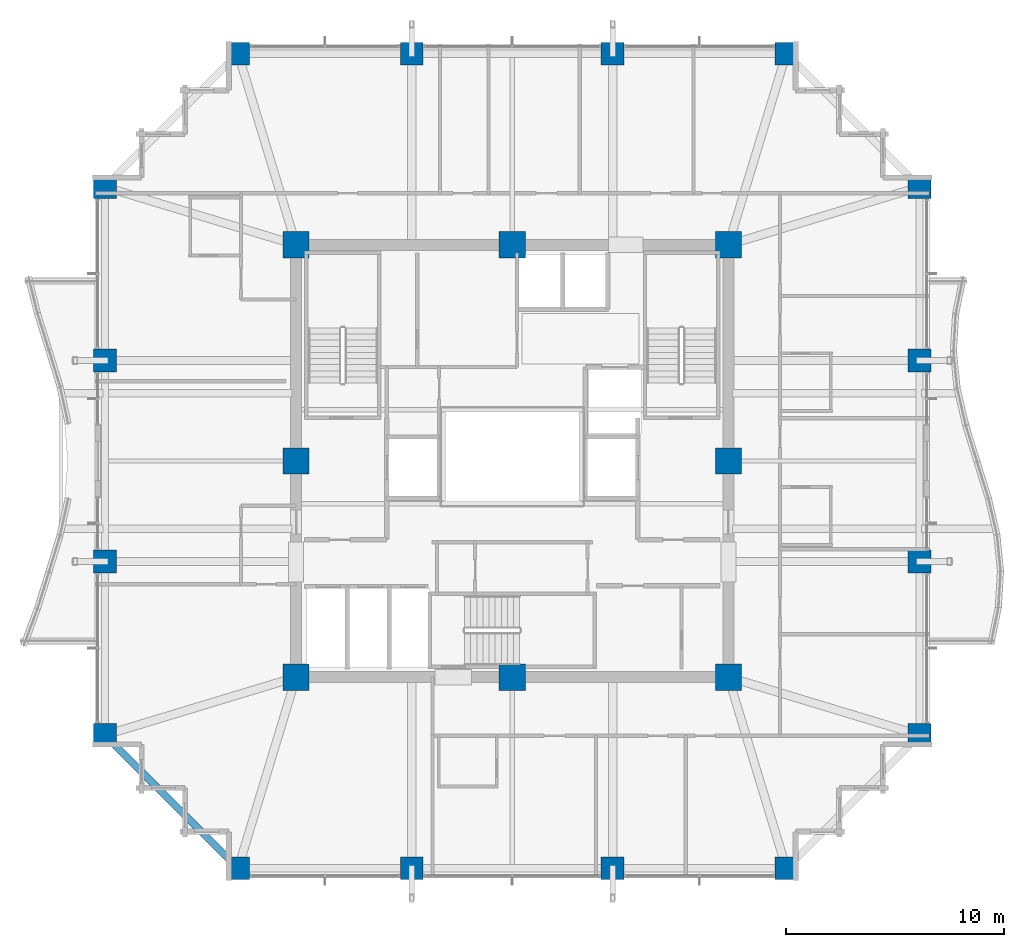
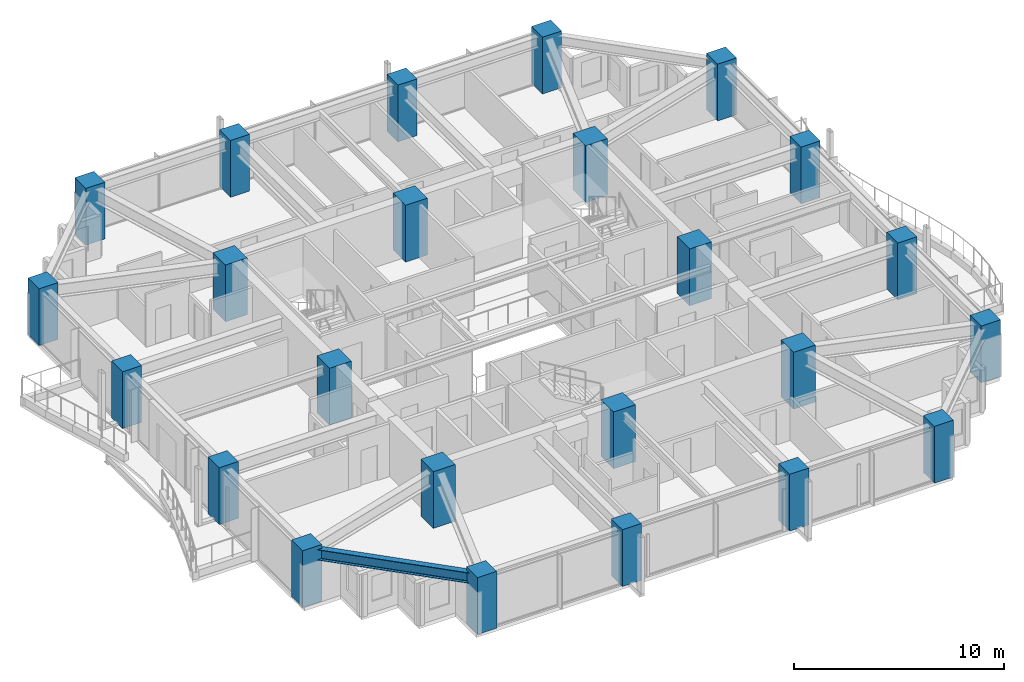
# One storey, part 1 of 35: 24 columns, 1 beam.
"""IFC4 building model written with IfcOpenShell, lengths in metres."""

from ifc_helpers import new_model, si_unit, direction, frame, origin, origin_2d, place, context, subcontext, project, spatial, rectangle, i_section, extrude, material, material_profile, profile_set, type_object, element, save


model = new_model("IFC4")

# Units and contexts
model_context = context("Model", 3, precision=1e-05, world=origin(), true_north=direction((0.0, 1.0)))
body_context = subcontext(model_context, "Body", "Model", "MODEL_VIEW")
ifc_project = project(units=[si_unit("LENGTHUNIT", "METRE"), si_unit("AREAUNIT", "SQUARE_METRE"), si_unit("VOLUMEUNIT", "CUBIC_METRE"), si_unit("PLANEANGLEUNIT", "RADIAN"), si_unit("MASSUNIT", "GRAM", prefix="KILO")], contexts=[model_context])

# Site, building, storey
site_placement = place(None, origin())
site = spatial("IfcSite", under=ifc_project, at=site_placement, CompositionType="ELEMENT")
building_placement = place(site_placement, origin())
building = spatial("IfcBuilding", under=site, at=building_placement, Name="Kolvaren Belvedere", CompositionType="ELEMENT")
storey_placement = place(building_placement, frame((0.0, 0.0, 115.10009765625)))
storey = spatial("IfcBuildingStorey", under=building, at=storey_placement, Name="L33", CompositionType="ELEMENT", Elevation=115.10009765625)

# Columns
ifc_material_1 = material(Name="Concrete C50/60", Category="concrete")
ifc_material_profile_1 = material_profile(ifc_material_1, rectangle(XDim=1.050048828125, YDim=1.050048828125, at=origin_2d()), Name="RC 1050X1050")
ifc_profile_set_1 = profile_set([ifc_material_profile_1], Name="Concrete C50/60")
column_type_1 = type_object("IfcColumnType", Name="COL-RC-1050", PredefinedType="COLUMN", material=ifc_profile_set_1)
for number, where, z_axis, x_axis, name in (
    (1, (-12.550048828125, -18.64990234375, 0.0), (0.0, 0.0, 1.0), (1.0, 0.0, 0.0), "L33 Perimeter Column S1"),
    (2, (-4.60009765625, -18.64990234375, 0.0), (0.0, 0.0, 1.0), (1.0, 0.0, 0.0), "L33 Perimeter Column S2"),
    (3, (4.60009765625, -18.64990234375, 0.0), (0.0, 0.0, 1.0), (1.0, 0.0, 0.0), "L33 Perimeter Column S3"),
    (4, (12.550048828125, -18.64990234375, 0.0), (0.0, 0.0, 1.0), (1.0, 0.0, 0.0), "L33 Perimeter Column S4"),
    (5, (-12.550048828125, 18.64990234375, 0.0), (0.0, 0.0, 1.0), (1.0, 0.0, 0.0), "L33 Perimeter Column N1"),
    (6, (-4.60009765625, 18.64990234375, 0.0), (0.0, 0.0, 1.0), (1.0, 0.0, 0.0), "L33 Perimeter Column N2"),
    (7, (4.60009765625, 18.64990234375, 0.0), (0.0, 0.0, 1.0), (1.0, 0.0, 0.0), "L33 Perimeter Column N3"),
    (8, (12.550048828125, 18.64990234375, 0.0), (0.0, 0.0, 1.0), (1.0, 0.0, 0.0), "L33 Perimeter Column N4"),
    (9, (-18.64990234375, -12.550048828125, 0.0), (0.0, 0.0, 1.0), (1.0, 0.0, 0.0), "L33 Perimeter Column W1"),
    (10, (-18.64990234375, -4.60009765625, 0.0), (0.0, 0.0, 1.0), (1.0, 0.0, 0.0), "L33 Perimeter Column W2"),
    (11, (-18.64990234375, 4.60009765625, 0.0), (0.0, 0.0, 1.0), (1.0, 0.0, 0.0), "L33 Perimeter Column W3"),
    (12, (-18.64990234375, 12.550048828125, 0.0), (0.0, 0.0, 1.0), (1.0, 0.0, 0.0), "L33 Perimeter Column W4"),
    (13, (18.64990234375, -12.550048828125, 0.0), (0.0, 0.0, 1.0), (1.0, 0.0, 0.0), "L33 Perimeter Column E1"),
    (14, (18.64990234375, -4.60009765625, 0.0), (0.0, 0.0, 1.0), (1.0, 0.0, 0.0), "L33 Perimeter Column E2"),
    (15, (18.64990234375, 4.60009765625, 0.0), (0.0, 0.0, 1.0), (1.0, 0.0, 0.0), "L33 Perimeter Column E3"),
    (16, (18.64990234375, 12.550048828125, 0.0), (0.0, 0.0, 1.0), (1.0, 0.0, 0.0), "L33 Perimeter Column E4"),
):
    element("IfcColumn", number, at=place(storey_placement, frame(where, z_axis=z_axis, x_axis=x_axis)), inside=storey, type_object=column_type_1, Name=name, PredefinedType="COLUMN", context=body_context, shape_type="SweptSolid", body=[
        extrude(rectangle(XDim=1.050048828125, YDim=1.050048828125, at=origin_2d()), origin(), (0.0, 0.0, 1.0), 3.2998046875),
    ])
ifc_material_2 = material(Name="Concrete C60/75", Category="concrete")
ifc_material_profile_2 = material_profile(ifc_material_2, rectangle(XDim=1.199951171875, YDim=1.199951171875, at=origin_2d()), Name="RC 1200X1200")
ifc_profile_set_2 = profile_set([ifc_material_profile_2], Name="Concrete C60/75")
column_type_2 = type_object("IfcColumnType", Name="COL-RC-1200", PredefinedType="COLUMN", material=ifc_profile_set_2)
for number, where, z_axis, x_axis, name in (
    (17, (-9.89990234375, -9.89990234375, 0.0), (0.0, 0.0, 1.0), (1.0, 0.0, 0.0), "L33 Core Column CC1"),
    (18, (9.89990234375, -9.89990234375, 0.0), (0.0, 0.0, 1.0), (1.0, 0.0, 0.0), "L33 Core Column CC2"),
    (19, (9.89990234375, 9.89990234375, 0.0), (0.0, 0.0, 1.0), (1.0, 0.0, 0.0), "L33 Core Column CC3"),
    (20, (-9.89990234375, 9.89990234375, 0.0), (0.0, 0.0, 1.0), (1.0, 0.0, 0.0), "L33 Core Column CC4"),
    (21, (0.0, -9.89990234375, 0.0), (0.0, 0.0, 1.0), (1.0, 0.0, 0.0), "L33 Core Column CM1"),
    (22, (9.89990234375, 0.0, 0.0), (0.0, 0.0, 1.0), (1.0, 0.0, 0.0), "L33 Core Column CM2"),
    (23, (0.0, 9.89990234375, 0.0), (0.0, 0.0, 1.0), (1.0, 0.0, 0.0), "L33 Core Column CM3"),
    (24, (-9.89990234375, 0.0, 0.0), (0.0, 0.0, 1.0), (1.0, 0.0, 0.0), "L33 Core Column CM4"),
):
    element("IfcColumn", number, at=place(storey_placement, frame(where, z_axis=z_axis, x_axis=x_axis)), inside=storey, type_object=column_type_2, Name=name, PredefinedType="COLUMN", context=body_context, shape_type="SweptSolid", body=[
        extrude(rectangle(XDim=1.199951171875, YDim=1.199951171875, at=origin_2d()), origin(), (0.0, 0.0, 1.0), 3.2998046875),
    ])

# Beam
ifc_material_3 = material(Name="Structural steel ASTM A992 Grade 50", Category="steel")
ifc_material_profile_3 = material_profile(ifc_material_3, i_section(OverallWidth=0.324951171875, OverallDepth=0.615966796875, WebThickness=0.013916015625, FlangeThickness=0.021484375, FilletRadius=0.02001953125, at=origin_2d()), Name="W24X117")
ifc_profile_set_3 = profile_set([ifc_material_profile_3], Name="Structural steel ASTM A992 Grade 50")
beam_type = type_object("IfcBeamType", Name="BM-SPAN-W24X117", PredefinedType="SPANDREL", material=ifc_profile_set_3)
beam_placement = place(storey_placement, frame((-18.48291015625, -12.717041015625, 2.77197265625), z_axis=(0.707106781187, -0.707106781187, 0.0), x_axis=(0.707106781187, 0.707106781187, 0.0)))
element("IfcBeam", 25, at=beam_placement, inside=storey, type_object=beam_type, Name="L33 Perimeter Spandrel W1-S1", PredefinedType="SPANDREL", context=body_context, shape_type="SweptSolid", body=[
    extrude(i_section(OverallWidth=0.324951171875, OverallDepth=0.615966796875, WebThickness=0.013916015625, FlangeThickness=0.021484375, FilletRadius=0.02001953125, at=origin_2d()), origin(), (0.0, 0.0, 1.0), 8.154052734375),
])

save(model, "model.ifc")
